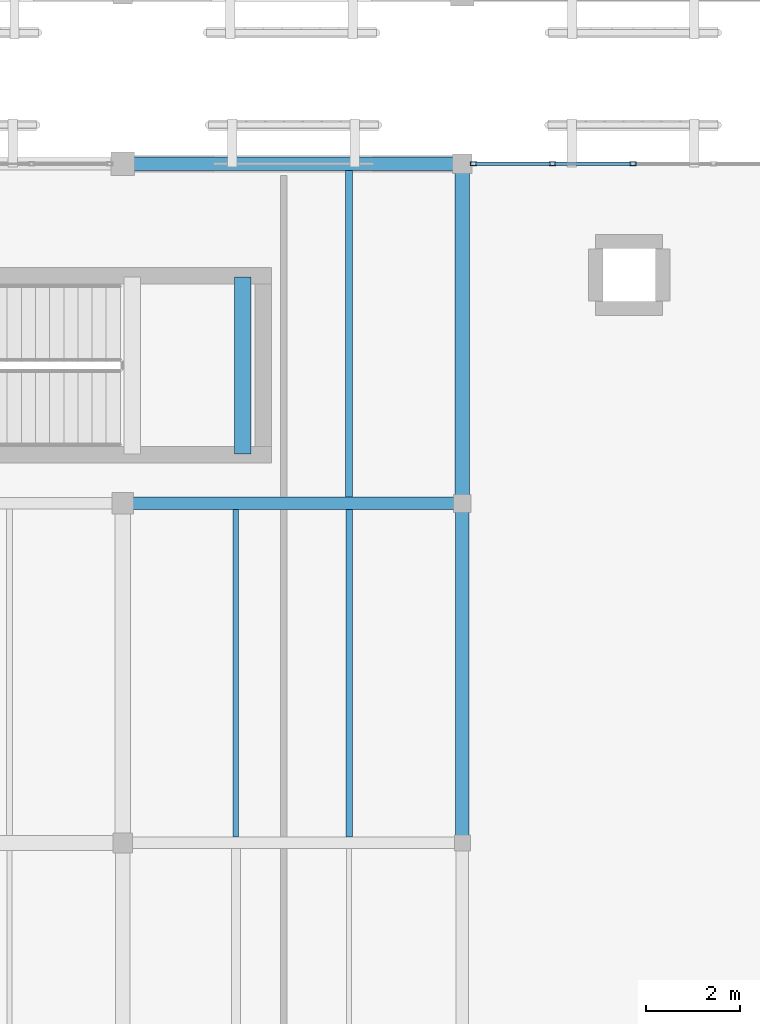
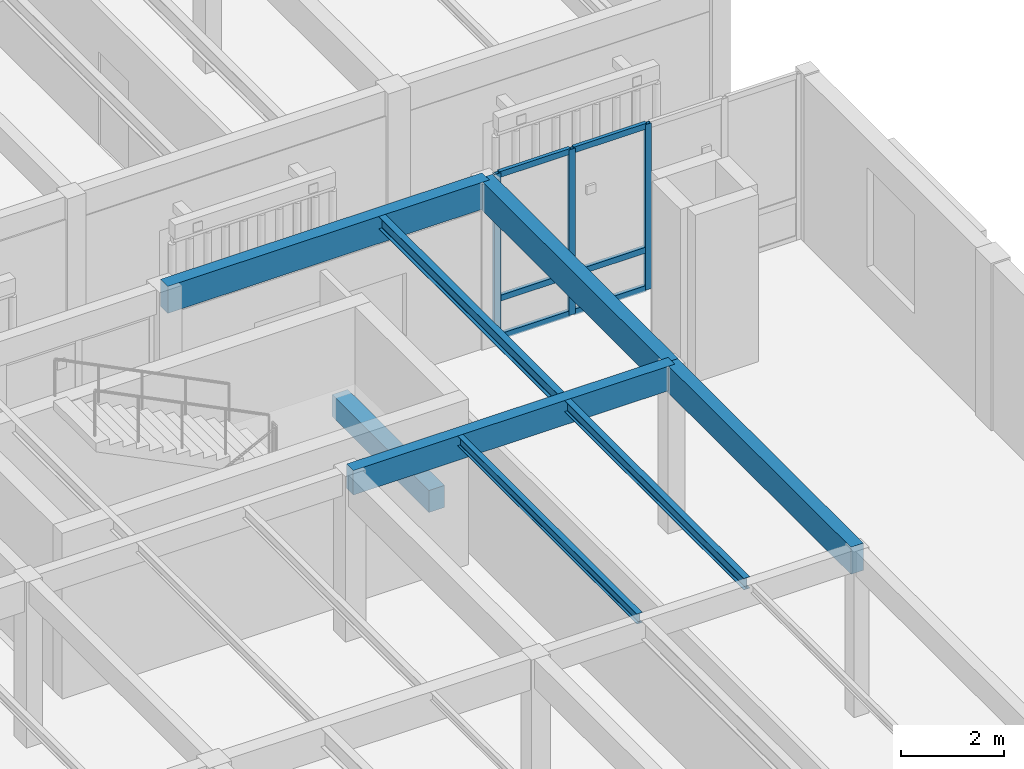
# One storey, part 144 of 217: 9 members, 8 beams, 1 element without a shape of its own.
"""IFC4 building model written with IfcOpenShell, lengths in metres."""

from ifc_helpers import new_model, si_unit, direction, frame, origin, origin_2d, place, context, subcontext, project, spatial, rectangle, hollow_rectangle, i_section, extrude, material, layer, layer_set, material_profile, profile_set, type_object, element, aggregate, save


model = new_model("IFC4")

# Units and contexts
model_context = context("Model", 3, precision=1e-05, world=origin(), true_north=direction((0.0, 1.0)))
body_context = subcontext(model_context, "Body", "Model", "MODEL_VIEW")
ifc_project = project(units=[si_unit("LENGTHUNIT", "METRE"), si_unit("AREAUNIT", "SQUARE_METRE"), si_unit("VOLUMEUNIT", "CUBIC_METRE"), si_unit("PLANEANGLEUNIT", "RADIAN"), si_unit("MASSUNIT", "GRAM", prefix="KILO")], contexts=[model_context])

# Site, building, storey
site_placement = place(None, origin())
site = spatial("IfcSite", under=ifc_project, at=site_placement, CompositionType="ELEMENT")
building_placement = place(site_placement, origin())
building = spatial("IfcBuilding", under=site, at=building_placement, Name="Mazaris Harbour Polytechnic", CompositionType="ELEMENT")
storey_placement = place(building_placement, frame((0.0, 0.0, 9.60009765625)))
storey = spatial("IfcBuildingStorey", under=building, at=storey_placement, Name="L02", CompositionType="ELEMENT", Elevation=9.60009765625)

# Curtain wall, members
ifc_material_1 = material(Name="Anodised Bronze Aluminium and Low-E Glass", Category="aluminium")
ifc_layer = layer(ifc_material_1, 0.159912109375, Name="Anodised Bronze Aluminium and Low-E Glass")
ifc_layer_set = layer_set([ifc_layer], Name="Anodised Bronze Aluminium and Low-E Glass")
curtain_wall_type = type_object("IfcCurtainWallType", Name="Cloister Court Curtain Wall", PredefinedType="NOTDEFINED", material=ifc_layer_set)
curtain_wall_placement = place(storey_placement, origin())
curtain_wall = element("IfcCurtainWall", 1, at=curtain_wall_placement, inside=storey, type_object=curtain_wall_type, Name="V2 L02 Curtain Wall 52", PredefinedType="NOTDEFINED")
ifc_material_2 = material(Name="Anodised Bronze Steel S355", Category="steel")
ifc_material_profile_1 = material_profile(ifc_material_2, hollow_rectangle(XDim=0.080078125, YDim=0.139892578125, WallThickness=0.00634765625, at=origin_2d()), Name="RHS 80x140x6.3")
ifc_profile_set_1 = profile_set([ifc_material_profile_1], Name="Anodised Bronze Steel S355")
member_type_1 = type_object("IfcMemberType", Name="Curtain Mullion RHS80x140", PredefinedType="MULLION", material=ifc_profile_set_1)
member_1_placement = place(storey_placement, frame((165.842041015625, 43.199951171875, 0.0), z_axis=(0.0, 0.0, 1.0), x_axis=(0.0, 1.0, 0.0)))
member_1 = element("IfcMember", 2, at=member_1_placement, type_object=member_type_1, Name="CW-02 mullion 1", PredefinedType="MULLION", context=body_context, shape_type="SweptSolid", body=[
    extrude(hollow_rectangle(XDim=0.080078125, YDim=0.139892578125, WallThickness=0.00634765625, at=origin_2d()), origin(), (0.0, 0.0, 1.0), 3.919921875),
])
member_2_placement = place(storey_placement, frame((167.510986328125, 43.199951171875, 0.0), z_axis=(0.0, 0.0, 1.0), x_axis=(0.0, 1.0, 0.0)))
member_2 = element("IfcMember", 3, at=member_2_placement, type_object=member_type_1, Name="CW-02 mullion 2", PredefinedType="MULLION", context=body_context, shape_type="SweptSolid", body=[
    extrude(hollow_rectangle(XDim=0.080078125, YDim=0.139892578125, WallThickness=0.00634765625, at=origin_2d()), origin(), (0.0, 0.0, 1.0), 3.919921875),
])
member_3_placement = place(storey_placement, frame((169.219970703125, 43.199951171875, 0.0), z_axis=(0.0, 0.0, 1.0), x_axis=(0.0, 1.0, 0.0)))
member_3 = element("IfcMember", 4, at=member_3_placement, type_object=member_type_1, Name="CW-02 mullion 3", PredefinedType="MULLION", context=body_context, shape_type="SweptSolid", body=[
    extrude(hollow_rectangle(XDim=0.080078125, YDim=0.139892578125, WallThickness=0.00634765625, at=origin_2d()), origin(), (0.0, 0.0, 1.0), 3.919921875),
])
ifc_material_3 = material(Name="Anodised Bronze Steel S355", Category="steel")
ifc_material_profile_2 = material_profile(ifc_material_3, hollow_rectangle(XDim=0.080078125, YDim=0.139892578125, WallThickness=0.00634765625, at=origin_2d()), Name="RHS 80x140x6.3")
ifc_profile_set_2 = profile_set([ifc_material_profile_2], Name="Anodised Bronze Steel S355")
member_type_2 = type_object("IfcMemberType", Name="Curtain Transom RHS80x140", PredefinedType="USERDEFINED", material=ifc_profile_set_2)
member_4_placement = place(storey_placement, frame((165.882080078125, 43.199951171875, 0.039794921875), z_axis=(1.0, 0.0, 0.0), x_axis=(0.0, 1.0, 0.0)))
member_4 = element("IfcMember", 5, at=member_4_placement, type_object=member_type_2, Name="CW-02 transom 1.1", ObjectType="TRANSOM", PredefinedType="USERDEFINED", context=body_context, shape_type="SweptSolid", body=[
    extrude(hollow_rectangle(XDim=0.080078125, YDim=0.139892578125, WallThickness=0.00634765625, at=origin_2d()), origin(), (0.0, 0.0, 1.0), 1.5888671875),
])
member_5_placement = place(storey_placement, frame((165.882080078125, 43.199951171875, 0.949951171875), z_axis=(1.0, 0.0, 0.0), x_axis=(0.0, 1.0, 0.0)))
member_5 = element("IfcMember", 6, at=member_5_placement, type_object=member_type_2, Name="CW-02 transom 1.2", ObjectType="TRANSOM", PredefinedType="USERDEFINED", context=body_context, shape_type="SweptSolid", body=[
    extrude(hollow_rectangle(XDim=0.080078125, YDim=0.139892578125, WallThickness=0.00634765625, at=origin_2d()), origin(), (0.0, 0.0, 1.0), 1.5888671875),
])
member_6_placement = place(storey_placement, frame((165.882080078125, 43.199951171875, 3.8798828125), z_axis=(1.0, 0.0, 0.0), x_axis=(0.0, 1.0, 0.0)))
member_6 = element("IfcMember", 7, at=member_6_placement, type_object=member_type_2, Name="CW-02 transom 1.3", ObjectType="TRANSOM", PredefinedType="USERDEFINED", context=body_context, shape_type="SweptSolid", body=[
    extrude(hollow_rectangle(XDim=0.080078125, YDim=0.139892578125, WallThickness=0.00634765625, at=origin_2d()), origin(), (0.0, 0.0, 1.0), 1.5888671875),
])
member_7_placement = place(storey_placement, frame((167.551025390625, 43.199951171875, 0.039794921875), z_axis=(1.0, 0.0, 0.0), x_axis=(0.0, 1.0, 0.0)))
member_7 = element("IfcMember", 8, at=member_7_placement, type_object=member_type_2, Name="CW-02 transom 2.1", ObjectType="TRANSOM", PredefinedType="USERDEFINED", context=body_context, shape_type="SweptSolid", body=[
    extrude(hollow_rectangle(XDim=0.080078125, YDim=0.139892578125, WallThickness=0.00634765625, at=origin_2d()), origin(), (0.0, 0.0, 1.0), 1.62890625),
])
member_8_placement = place(storey_placement, frame((167.551025390625, 43.199951171875, 0.949951171875), z_axis=(1.0, 0.0, 0.0), x_axis=(0.0, 1.0, 0.0)))
member_8 = element("IfcMember", 9, at=member_8_placement, type_object=member_type_2, Name="CW-02 transom 2.2", ObjectType="TRANSOM", PredefinedType="USERDEFINED", context=body_context, shape_type="SweptSolid", body=[
    extrude(hollow_rectangle(XDim=0.080078125, YDim=0.139892578125, WallThickness=0.00634765625, at=origin_2d()), origin(), (0.0, 0.0, 1.0), 1.62890625),
])
member_9_placement = place(storey_placement, frame((167.551025390625, 43.199951171875, 3.8798828125), z_axis=(1.0, 0.0, 0.0), x_axis=(0.0, 1.0, 0.0)))
member_9 = element("IfcMember", 10, at=member_9_placement, type_object=member_type_2, Name="CW-02 transom 2.3", ObjectType="TRANSOM", PredefinedType="USERDEFINED", context=body_context, shape_type="SweptSolid", body=[
    extrude(hollow_rectangle(XDim=0.080078125, YDim=0.139892578125, WallThickness=0.00634765625, at=origin_2d()), origin(), (0.0, 0.0, 1.0), 1.62890625),
])
aggregate(curtain_wall, [member_1, member_2, member_3, member_4, member_5, member_6, member_7, member_8, member_9])

# Beams
ifc_material_4 = material(Name="Glulam GL32h", Category="wood")
ifc_material_profile_3 = material_profile(ifc_material_4, rectangle(XDim=0.260009765625, YDim=0.580078125, at=origin_2d()), Name="RECT260x580")
ifc_profile_set_3 = profile_set([ifc_material_profile_3], Name="Glulam GL32h")
beam_type_1 = type_object("IfcBeamType", Name="Glulam Girder 260x580", PredefinedType="BEAM", material=ifc_profile_set_3)
beam_1_placement = place(storey_placement, frame((158.39990234375, 36.0, 3.6298828125), z_axis=(1.0, 0.0, 0.0), x_axis=(0.0, 1.0, 0.0)))
element("IfcBeam", 11, at=beam_1_placement, inside=storey, type_object=beam_type_1, Name="V2 L02 Girder 666", PredefinedType="BEAM", context=body_context, shape_type="SweptSolid", body=[
    extrude(rectangle(XDim=0.260009765625, YDim=0.580078125, at=origin_2d()), origin(), (0.0, 0.0, 1.0), 7.2001953125),
])
ifc_material_5 = material(Name="Glulam GL32h", Category="wood")
ifc_material_profile_4 = material_profile(ifc_material_5, rectangle(XDim=0.280029296875, YDim=0.639892578125, at=origin_2d()), Name="RECT280x640")
ifc_profile_set_4 = profile_set([ifc_material_profile_4], Name="Glulam GL32h")
beam_type_2 = type_object("IfcBeamType", Name="Glulam Girder 280x640 Exterior", PredefinedType="BEAM", material=ifc_profile_set_4)
beam_2_placement = place(storey_placement, frame((158.39990234375, 43.199951171875, 3.599853515625), z_axis=(1.0, 0.0, 0.0), x_axis=(0.0, 1.0, 0.0)))
element("IfcBeam", 12, at=beam_2_placement, inside=storey, type_object=beam_type_2, Name="V2 L02 Girder 672", PredefinedType="BEAM", context=body_context, shape_type="SweptSolid", body=[
    extrude(rectangle(XDim=0.280029296875, YDim=0.639892578125, at=origin_2d()), origin(), (0.0, 0.0, 1.0), 7.2001953125),
])
beam_3_placement = place(storey_placement, frame((165.60009765625, 28.800048828125, 3.599853515625), z_axis=(0.0, 1.0, 0.0), x_axis=(-1.0, 0.0, 0.0)))
element("IfcBeam", 13, at=beam_3_placement, inside=storey, type_object=beam_type_2, Name="V2 L02 Tie Girder 697", PredefinedType="BEAM", context=body_context, shape_type="SweptSolid", body=[
    extrude(rectangle(XDim=0.280029296875, YDim=0.639892578125, at=origin_2d()), origin(), (0.0, 0.0, 1.0), 7.199951171875),
])
ifc_material_6 = material(Name="Glulam GL32h", Category="wood")
ifc_material_profile_5 = material_profile(ifc_material_6, rectangle(XDim=0.300048828125, YDim=0.679931640625, at=origin_2d()), Name="RECT300x680")
ifc_profile_set_5 = profile_set([ifc_material_profile_5], Name="Glulam GL32h")
beam_type_3 = type_object("IfcBeamType", Name="Glulam Girder 300x680 Exterior", PredefinedType="BEAM", material=ifc_profile_set_5)
beam_4_placement = place(storey_placement, frame((165.60009765625, 36.0, 3.579833984375), z_axis=(0.0, 1.0, 0.0), x_axis=(-1.0, 0.0, 0.0)))
element("IfcBeam", 14, at=beam_4_placement, inside=storey, type_object=beam_type_3, Name="V2 L02 Tie Girder 698", PredefinedType="BEAM", context=body_context, shape_type="SweptSolid", body=[
    extrude(rectangle(XDim=0.300048828125, YDim=0.679931640625, at=origin_2d()), origin(), (0.0, 0.0, 1.0), 7.199951171875),
])
ifc_material_7 = material(Name="Concrete C40/50", Category="concrete")
ifc_material_profile_6 = material_profile(ifc_material_7, rectangle(XDim=0.35009765625, YDim=0.52001953125, at=origin_2d()), Name="RECT350x520")
ifc_profile_set_6 = profile_set([ifc_material_profile_6], Name="Concrete C40/50")
beam_type_4 = type_object("IfcBeamType", Name="RC Landing Bearer 350x520", PredefinedType="BEAM", material=ifc_profile_set_6)
beam_5_placement = place(storey_placement, frame((160.949951171875, 37.050048828125, 1.639892578125), z_axis=(0.0, 1.0, 0.0), x_axis=(-1.0, 0.0, 0.0)))
element("IfcBeam", 15, at=beam_5_placement, inside=storey, type_object=beam_type_4, Name="Core ST04 L02 Landing Bearer", PredefinedType="BEAM", context=body_context, shape_type="SweptSolid", body=[
    extrude(rectangle(XDim=0.35009765625, YDim=0.52001953125, at=origin_2d()), origin(), (0.0, 0.0, 1.0), 3.75),
])
ifc_material_8 = material(Name="Steel S355", Category="steel")
ifc_material_profile_7 = material_profile(ifc_material_8, i_section(OverallWidth=0.1201171875, OverallDepth=0.239990234375, WebThickness=0.006103515625, FlangeThickness=0.009765625, FilletRadius=0.014892578125, at=origin_2d()), Name="IPE 240")
ifc_profile_set_7 = profile_set([ifc_material_profile_7], Name="Steel S355")
beam_type_5 = type_object("IfcBeamType", Name="Steel Joist IPE240", PredefinedType="JOIST", material=ifc_profile_set_7)
beam_6_placement = place(storey_placement, frame((160.800048828125, 28.919921875, 3.7998046875), z_axis=(0.0, 1.0, 0.0), x_axis=(-1.0, 0.0, 0.0)))
element("IfcBeam", 16, at=beam_6_placement, inside=storey, type_object=beam_type_5, Name="V2 L02 Floor Joist 736", PredefinedType="JOIST", context=body_context, shape_type="SweptSolid", body=[
    extrude(i_section(OverallWidth=0.1201171875, OverallDepth=0.239990234375, WebThickness=0.006103515625, FlangeThickness=0.009765625, FilletRadius=0.014892578125, at=origin_2d()), origin(), (0.0, 0.0, 1.0), 6.9501953125),
])
ifc_material_9 = material(Name="Steel S355", Category="steel")
ifc_material_profile_8 = material_profile(ifc_material_9, i_section(OverallWidth=0.135009765625, OverallDepth=0.27001953125, WebThickness=0.006591796875, FlangeThickness=0.01025390625, FilletRadius=0.014892578125, at=origin_2d()), Name="IPE 270")
ifc_profile_set_8 = profile_set([ifc_material_profile_8], Name="Steel S355")
beam_type_6 = type_object("IfcBeamType", Name="Steel Joist IPE270", PredefinedType="JOIST", material=ifc_profile_set_8)
beam_7_placement = place(storey_placement, frame((163.199951171875, 28.919921875, 3.784912109375), z_axis=(0.0, 1.0, 0.0), x_axis=(-1.0, 0.0, 0.0)))
element("IfcBeam", 17, at=beam_7_placement, inside=storey, type_object=beam_type_6, Name="V2 L02 Floor Joist 737", PredefinedType="JOIST", context=body_context, shape_type="SweptSolid", body=[
    extrude(i_section(OverallWidth=0.135009765625, OverallDepth=0.27001953125, WebThickness=0.006591796875, FlangeThickness=0.01025390625, FilletRadius=0.014892578125, at=origin_2d()), origin(), (0.0, 0.0, 1.0), 6.9501953125),
])
ifc_material_10 = material(Name="Steel S355", Category="steel")
ifc_material_profile_9 = material_profile(ifc_material_10, i_section(OverallWidth=0.14990234375, OverallDepth=0.300048828125, WebThickness=0.007080078125, FlangeThickness=0.0107421875, FilletRadius=0.014892578125, at=origin_2d()), Name="IPE 300")
ifc_profile_set_9 = profile_set([ifc_material_profile_9], Name="Steel S355")
beam_type_7 = type_object("IfcBeamType", Name="Steel Joist IPE300", PredefinedType="JOIST", material=ifc_profile_set_9)
beam_8_placement = place(storey_placement, frame((163.199951171875, 36.1298828125, 3.77001953125), z_axis=(0.0, 1.0, 0.0), x_axis=(-1.0, 0.0, 0.0)))
element("IfcBeam", 18, at=beam_8_placement, inside=storey, type_object=beam_type_7, Name="V2 L02 Floor Joist 738", PredefinedType="JOIST", context=body_context, shape_type="SweptSolid", body=[
    extrude(i_section(OverallWidth=0.14990234375, OverallDepth=0.300048828125, WebThickness=0.007080078125, FlangeThickness=0.0107421875, FilletRadius=0.014892578125, at=origin_2d()), origin(), (0.0, 0.0, 1.0), 6.93017578125),
])

save(model, "model.ifc")
